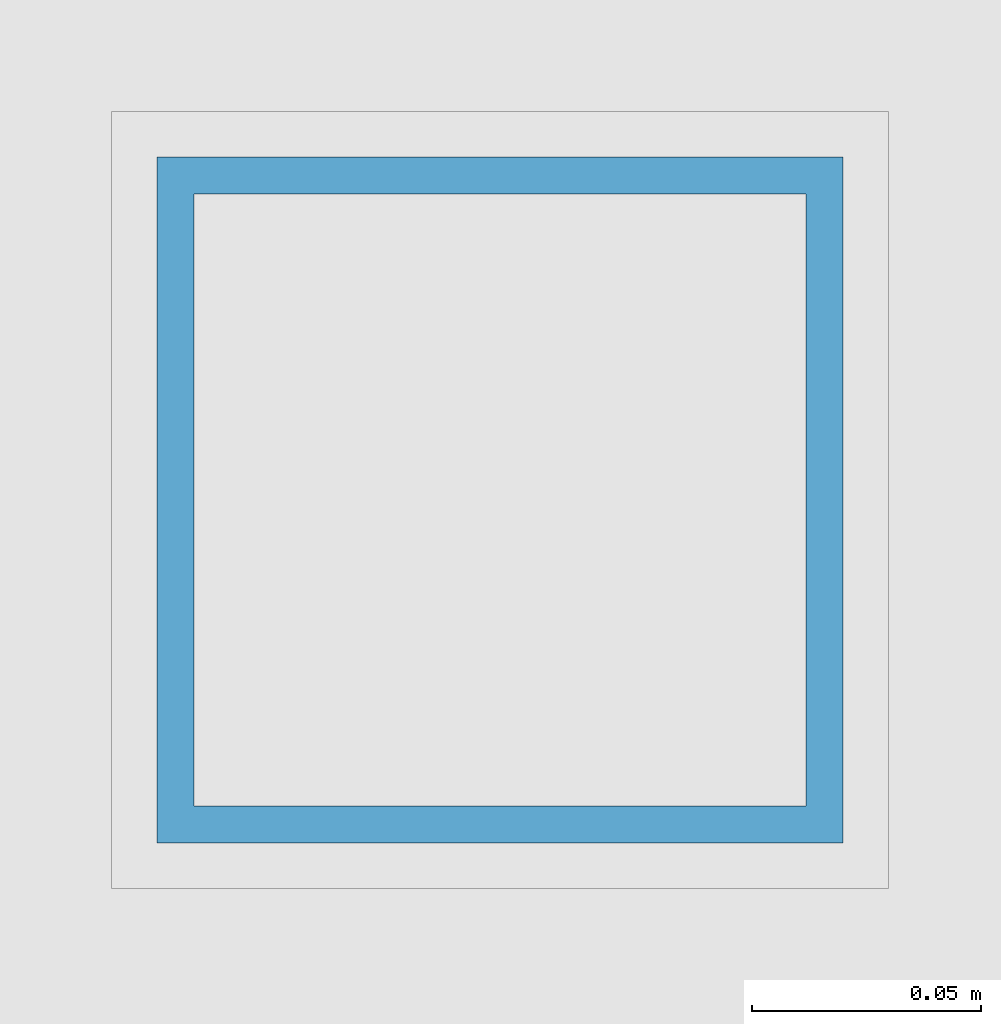
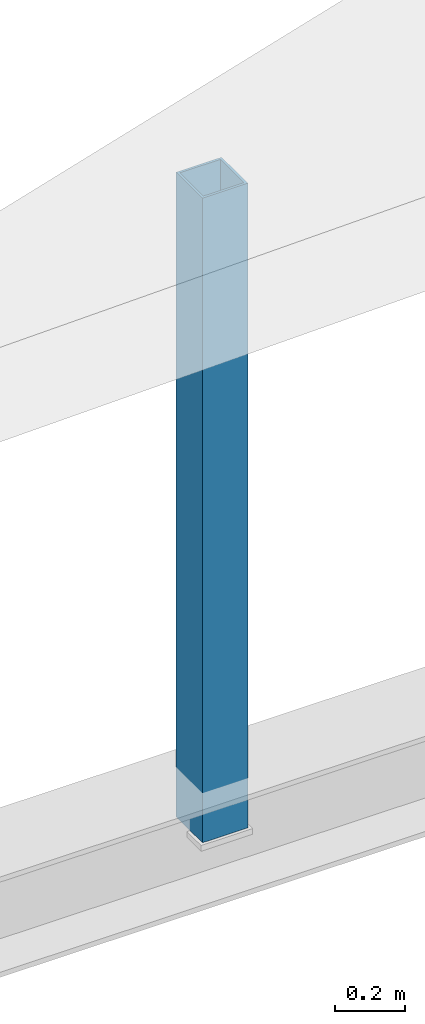
# One storey, part 65 of 204: 1 member.
"""IFC4 building model written with IfcOpenShell, lengths in metres."""

from ifc_helpers import new_model, si_unit, direction, frame, origin, origin_2d, place, context, subcontext, project, spatial, hollow_rectangle, extrude, material, material_profile, profile_set, type_object, element, save


model = new_model("IFC4")

# Units and contexts
model_context = context("Model", 3, precision=1e-05, world=origin(), true_north=direction((0.0, 1.0)))
body_context = subcontext(model_context, "Body", "Model", "MODEL_VIEW")
ifc_project = project(units=[si_unit("LENGTHUNIT", "METRE"), si_unit("AREAUNIT", "SQUARE_METRE"), si_unit("VOLUMEUNIT", "CUBIC_METRE"), si_unit("PLANEANGLEUNIT", "RADIAN"), si_unit("MASSUNIT", "GRAM", prefix="KILO")], contexts=[model_context])

# Site, building, storey
site_placement = place(None, origin())
site = spatial("IfcSite", under=ifc_project, at=site_placement, CompositionType="ELEMENT")
building_placement = place(site_placement, origin())
building = spatial("IfcBuilding", under=site, at=building_placement, Name="Zilviju Railside Exhibition Hall", CompositionType="ELEMENT")
storey_placement = place(building_placement, frame((0.0, 0.0, 21.0)))
storey = spatial("IfcBuildingStorey", under=building, at=storey_placement, Name="RF", CompositionType="ELEMENT", Elevation=21.0)

# Member
ifc_material = material(Name="Steel S355J2", Category="steel")
ifc_material_profile = material_profile(ifc_material, hollow_rectangle(XDim=0.14990234375, YDim=0.14990234375, WallThickness=0.008056640625, at=origin_2d()), Name="SHS 150x150x8.0")
ifc_profile_set = profile_set([ifc_material_profile], Name="Steel S355J2")
member_type = type_object("IfcMemberType", Name="TR-POST-SHS150", PredefinedType="POST", material=ifc_profile_set)
member_placement = place(storey_placement, frame((55.5, 120.0, -8.39990234375), z_axis=(0.0, 0.0, 1.0), x_axis=(1.0, 0.0, 0.0)))
element("IfcMember", 1, at=member_placement, inside=storey, type_object=member_type, Name="Concourse Saddle Queen Post Y=120.0", PredefinedType="POST", context=body_context, shape_type="SweptSolid", body=[
    extrude(hollow_rectangle(XDim=0.14990234375, YDim=0.14990234375, WallThickness=0.008056640625, at=origin_2d()), origin(), (0.0, 0.0, 1.0), 2.25),
])

save(model, "model.ifc")
